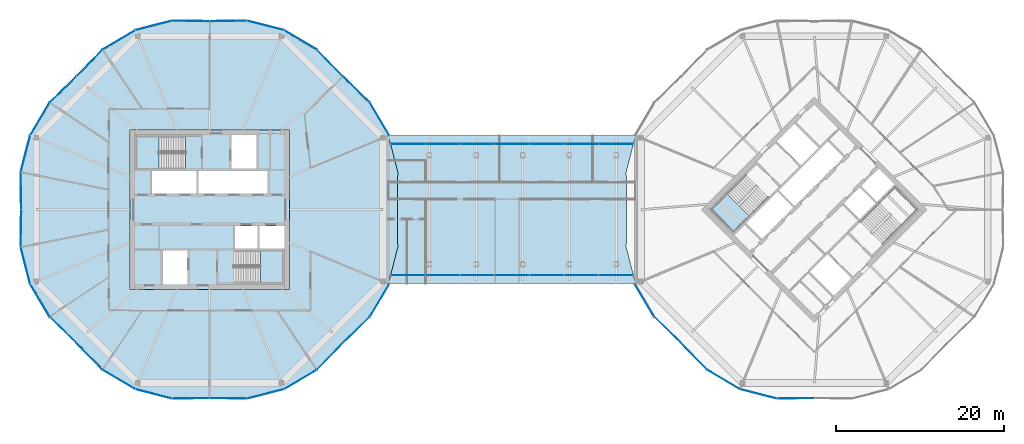
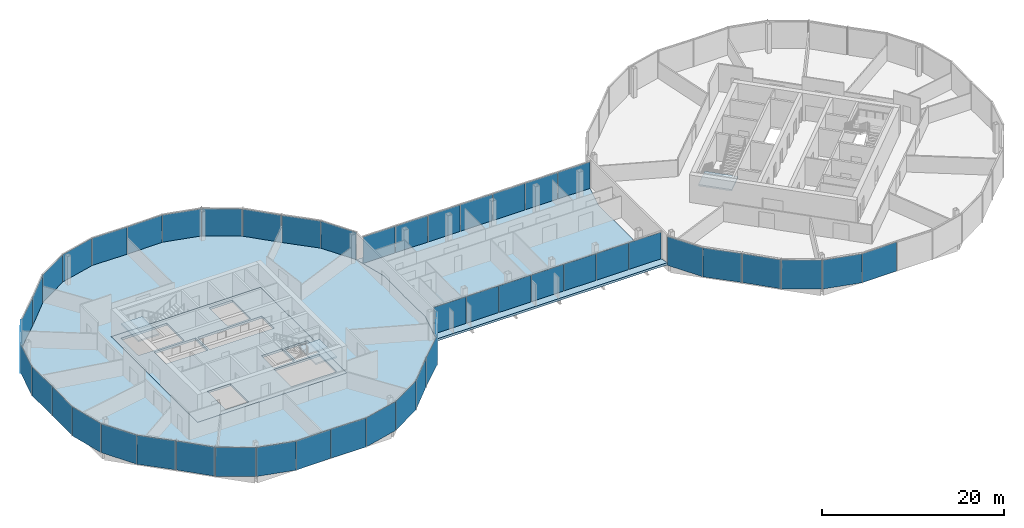
# One storey, part 17 of 26: 48 plates, 6 slabs, 15 elements without a shape of their own.
"""IFC4 building model written with IfcOpenShell, lengths in metres."""

from ifc_helpers import new_model, si_unit, direction, frame, origin, origin_2d, place, context, subcontext, project, spatial, polyline, rectangle, outline, extrude, material, layer, layer_set, type_object, element, aggregate, save


model = new_model("IFC4")

# Units and contexts
model_context = context("Model", 3, precision=1e-05, world=origin(), true_north=direction((0.0, 1.0)))
body_context = subcontext(model_context, "Body", "Model", "MODEL_VIEW")
ifc_project = project(units=[si_unit("LENGTHUNIT", "METRE"), si_unit("AREAUNIT", "SQUARE_METRE"), si_unit("VOLUMEUNIT", "CUBIC_METRE"), si_unit("PLANEANGLEUNIT", "RADIAN"), si_unit("MASSUNIT", "GRAM", prefix="KILO")], contexts=[model_context])

# Site, building, storey
site_placement = place(None, origin())
site = spatial("IfcSite", under=ifc_project, at=site_placement, CompositionType="ELEMENT")
building_placement = place(site_placement, origin())
building = spatial("IfcBuilding", under=site, at=building_placement, Name="Ogive Gate Towers", CompositionType="ELEMENT")
storey_placement = place(building_placement, frame((0.0, 0.0, 156.800048828125)))
storey = spatial("IfcBuildingStorey", under=building, at=storey_placement, Name="L37", CompositionType="ELEMENT", Elevation=156.800048828125)

# Slabs
ifc_material_1 = material(Name="Concrete C40/50", Category="concrete")
ifc_layer_1 = layer(ifc_material_1, 0.300048828125)
ifc_layer_set_1 = layer_set([ifc_layer_1], Name="Core slab C40/50 300 mm")
slab_type_1 = type_object("IfcSlabType", Name="Core slab C40/50 300 mm", PredefinedType="FLOOR", material=ifc_layer_set_1)
slab_1_placement = place(storey_placement, frame((0.0, 0.0, -0.300048828125)))
element("IfcSlab", 1, at=slab_1_placement, inside=storey, type_object=slab_type_1, Name="T1 L37 core slab", PredefinedType="FLOOR", context=body_context, shape_type="SweptSolid", body=[
    extrude(outline(polyline([(-45.5, -9.5), (-45.5, 9.5), (-26.5, 9.5), (-26.5, -9.5), (-45.5, -9.5)]), holes=[polyline([(-42.875, 1.949951171875), (-37.574951171875, 1.949951171875), (-37.574951171875, 4.625), (-42.875, 4.625), (-42.875, 1.949951171875)]), polyline([(-37.324951171875, 4.625), (-37.324951171875, 1.949951171875), (-29.125, 1.949951171875), (-29.125, 4.625), (-37.324951171875, 4.625)]), polyline([(-30.324951171875, -1.949951171875), (-32.97509765625, -1.949951171875), (-32.97509765625, -4.625), (-30.324951171875, -4.625), (-30.324951171875, -1.949951171875)]), polyline([(-27.10009765625, -4.625), (-27.10009765625, -1.949951171875), (-30.074951171875, -1.949951171875), (-30.074951171875, -4.625), (-27.10009765625, -4.625)]), polyline([(-33.375, 4.875), (-30.425048828125, 4.875), (-30.425048828125, 8.89990234375), (-33.375, 8.89990234375), (-33.375, 4.875)]), polyline([(-41.574951171875, -4.875), (-41.574951171875, -8.89990234375), (-38.625, -8.89990234375), (-38.625, -4.875), (-41.574951171875, -4.875)]), polyline([(-44.699951171875, 4.875), (-38.885009765625, 4.875), (-38.885009765625, 8.699951171875), (-44.699951171875, 8.699951171875), (-44.699951171875, 4.875)]), polyline([(-27.300048828125, -8.699951171875), (-27.300048828125, -4.875), (-33.114990234375, -4.875), (-33.114990234375, -8.699951171875), (-27.300048828125, -8.699951171875)])]), origin(), (0.0, 0.0, 1.0), 0.300048828125),
])
ifc_material_2 = material(Name="Concrete C35/45", Category="concrete")
ifc_layer_2 = layer(ifc_material_2, 0.300048828125)
ifc_layer_set_2 = layer_set([ifc_layer_2], Name="Floor slab 300")
slab_type_2 = type_object("IfcSlabType", Name="Floor slab 300", PredefinedType="FLOOR", material=ifc_layer_set_2)
slab_2_placement = place(storey_placement, frame((0.0, 0.0, -0.300048828125)))
element("IfcSlab", 2, at=slab_2_placement, inside=storey, type_object=slab_type_2, Name="T1/L37/SSL001", PredefinedType="FLOOR", context=body_context, shape_type="SweptSolid", body=[
    extrude(outline(polyline([(-13.598876953125, -4.455810546875), (-13.659912109375, 0.0), (-13.598876953125, 4.455810546875), (-14.7138671875, 8.817138671875), (-17.00927734375, 12.689208984375), (-20.203125, 15.796875), (-23.310791015625, 18.99072265625), (-27.182861328125, 21.2861328125), (-31.544189453125, 22.401123046875), (-36.0, 22.340087890625), (-40.455810546875, 22.401123046875), (-44.817138671875, 21.2861328125), (-48.689208984375, 18.99072265625), (-51.796875, 15.796875), (-54.99072265625, 12.689208984375), (-57.2861328125, 8.817138671875), (-58.401123046875, 4.455810546875), (-58.340087890625, 0.0), (-58.401123046875, -4.455810546875), (-57.2861328125, -8.817138671875), (-54.99072265625, -12.689208984375), (-51.796875, -15.796875), (-48.689208984375, -18.99072265625), (-44.817138671875, -21.2861328125), (-40.455810546875, -22.401123046875), (-36.0, -22.340087890625), (-31.544189453125, -22.401123046875), (-27.182861328125, -21.2861328125), (-23.310791015625, -18.99072265625), (-20.203125, -15.796875), (-17.00927734375, -12.689208984375), (-14.7138671875, -8.817138671875), (-13.598876953125, -4.455810546875)]), holes=[polyline([(-26.5, -9.5), (-45.5, -9.5), (-45.5, 9.5), (-26.5, 9.5), (-26.5, -9.5)])]), origin(), (0.0, 0.0, 1.0), 0.300048828125),
])
slab_3_placement = place(storey_placement, frame((0.0, 0.0, -0.300048828125)))
element("IfcSlab", 3, at=slab_3_placement, inside=storey, type_object=slab_type_2, Name="BR/L37/SSL001", PredefinedType="FLOOR", context=body_context, shape_type="SweptSolid", body=[
    extrude(outline(polyline([(-14.7138671875, -8.817138671875), (14.7138671875, -8.817138671875), (14.7138671875, -8.817138671875), (13.598876953125, -4.455810546875), (13.659912109375, 0.0), (13.598876953125, 4.455810546875), (14.7138671875, 8.817138671875), (-14.7138671875, 8.817138671875), (-13.598876953125, 4.455810546875), (-13.659912109375, 0.0), (-13.598876953125, -4.455810546875), (-14.7138671875, -8.817138671875), (-14.7138671875, -8.817138671875)])), origin(), (0.0, 0.0, 1.0), 0.300048828125),
])

# Curtain wall, plates
ifc_material_3 = material(Name="Pale metal aluminium", Category="aluminium")
curtain_wall_type_1 = type_object("IfcCurtainWallType", Name="Gate block facade", PredefinedType="NOTDEFINED", material=ifc_material_3)
curtain_wall_1_placement = place(storey_placement, origin())
curtain_wall_1 = element("IfcCurtainWall", 4, at=curtain_wall_1_placement, inside=storey, type_object=curtain_wall_type_1, Name="CW3 BR ECW01", PredefinedType="NOTDEFINED")
ifc_material_4 = material(Name="Clear glass", Category="glass")
ifc_layer_3 = layer(ifc_material_4, 0.028076171875)
ifc_layer_set_3 = layer_set([ifc_layer_3], Name="Gate block facade glass panel")
plate_type_1 = type_object("IfcPlateType", Name="Gate block facade glass panel", PredefinedType="CURTAIN_PANEL", material=ifc_layer_set_3)
plate_1_placement = place(storey_placement, frame((-12.392578125, -7.81689453125, -0.30029296875), z_axis=(0.0, 0.0, 1.0), x_axis=(1.0, 0.0, 0.0)))
plate_1 = element("IfcPlate", 5, at=plate_1_placement, type_object=plate_type_1, Name="CW3 glass panel", PredefinedType="CURTAIN_PANEL", context=body_context, shape_type="SweptSolid", body=[
    extrude(rectangle(XDim=4.076904296875, YDim=0.028076171875, at=origin_2d()), origin(), (0.0, 0.0, 1.0), 3.884033203125),
])
plate_2_placement = place(storey_placement, frame((-8.26171875, -7.81689453125, -0.30029296875), z_axis=(0.0, 0.0, 1.0), x_axis=(1.0, 0.0, 0.0)))
plate_2 = element("IfcPlate", 6, at=plate_2_placement, type_object=plate_type_1, Name="CW3 glass panel", PredefinedType="CURTAIN_PANEL", context=body_context, shape_type="SweptSolid", body=[
    extrude(rectangle(XDim=4.076904296875, YDim=0.028076171875, at=origin_2d()), origin(), (0.0, 0.0, 1.0), 3.884033203125),
])
plate_3_placement = place(storey_placement, frame((-4.131103515625, -7.81689453125, -0.30029296875), z_axis=(0.0, 0.0, 1.0), x_axis=(1.0, 0.0, 0.0)))
plate_3 = element("IfcPlate", 7, at=plate_3_placement, type_object=plate_type_1, Name="CW3 glass panel", PredefinedType="CURTAIN_PANEL", context=body_context, shape_type="SweptSolid", body=[
    extrude(rectangle(XDim=4.076904296875, YDim=0.028076171875, at=origin_2d()), origin(), (0.0, 0.0, 1.0), 3.884033203125),
])
plate_4_placement = place(storey_placement, frame((0.0, -7.81689453125, -0.30029296875), z_axis=(0.0, 0.0, 1.0), x_axis=(1.0, 0.0, 0.0)))
plate_4 = element("IfcPlate", 8, at=plate_4_placement, type_object=plate_type_1, Name="CW3 glass panel", PredefinedType="CURTAIN_PANEL", context=body_context, shape_type="SweptSolid", body=[
    extrude(rectangle(XDim=4.076904296875, YDim=0.028076171875, at=origin_2d()), origin(), (0.0, 0.0, 1.0), 3.884033203125),
])
plate_5_placement = place(storey_placement, frame((4.131103515625, -7.81689453125, -0.30029296875), z_axis=(0.0, 0.0, 1.0), x_axis=(1.0, 0.0, 0.0)))
plate_5 = element("IfcPlate", 9, at=plate_5_placement, type_object=plate_type_1, Name="CW3 glass panel", PredefinedType="CURTAIN_PANEL", context=body_context, shape_type="SweptSolid", body=[
    extrude(rectangle(XDim=4.076904296875, YDim=0.028076171875, at=origin_2d()), origin(), (0.0, 0.0, 1.0), 3.884033203125),
])
plate_6_placement = place(storey_placement, frame((8.26171875, -7.81689453125, -0.30029296875), z_axis=(0.0, 0.0, 1.0), x_axis=(1.0, 0.0, 0.0)))
plate_6 = element("IfcPlate", 10, at=plate_6_placement, type_object=plate_type_1, Name="CW3 glass panel", PredefinedType="CURTAIN_PANEL", context=body_context, shape_type="SweptSolid", body=[
    extrude(rectangle(XDim=4.076904296875, YDim=0.028076171875, at=origin_2d()), origin(), (0.0, 0.0, 1.0), 3.884033203125),
])
plate_7_placement = place(storey_placement, frame((12.392578125, -7.81689453125, -0.30029296875), z_axis=(0.0, 0.0, 1.0), x_axis=(1.0, 0.0, 0.0)))
plate_7 = element("IfcPlate", 11, at=plate_7_placement, type_object=plate_type_1, Name="CW3 glass panel", PredefinedType="CURTAIN_PANEL", context=body_context, shape_type="SweptSolid", body=[
    extrude(rectangle(XDim=4.076904296875, YDim=0.028076171875, at=origin_2d()), origin(), (0.0, 0.0, 1.0), 3.884033203125),
])
aggregate(curtain_wall_1, [plate_1, plate_2, plate_3, plate_4, plate_5, plate_6, plate_7])

curtain_wall_2_placement = place(storey_placement, origin())
curtain_wall_2 = element("IfcCurtainWall", 12, at=curtain_wall_2_placement, inside=storey, type_object=curtain_wall_type_1, Name="CW3 BR ECW02", PredefinedType="NOTDEFINED")
plate_8_placement = place(storey_placement, frame((12.392578125, 7.81689453125, -0.30029296875), z_axis=(0.0, 0.0, 1.0), x_axis=(-1.0, 0.0, 0.0)))
plate_8 = element("IfcPlate", 13, at=plate_8_placement, type_object=plate_type_1, Name="CW3 glass panel", PredefinedType="CURTAIN_PANEL", context=body_context, shape_type="SweptSolid", body=[
    extrude(rectangle(XDim=4.076904296875, YDim=0.028076171875, at=origin_2d()), origin(), (0.0, 0.0, 1.0), 3.884033203125),
])
plate_9_placement = place(storey_placement, frame((8.26171875, 7.81689453125, -0.30029296875), z_axis=(0.0, 0.0, 1.0), x_axis=(-1.0, 0.0, 0.0)))
plate_9 = element("IfcPlate", 14, at=plate_9_placement, type_object=plate_type_1, Name="CW3 glass panel", PredefinedType="CURTAIN_PANEL", context=body_context, shape_type="SweptSolid", body=[
    extrude(rectangle(XDim=4.076904296875, YDim=0.028076171875, at=origin_2d()), origin(), (0.0, 0.0, 1.0), 3.884033203125),
])
plate_10_placement = place(storey_placement, frame((4.131103515625, 7.81689453125, -0.30029296875), z_axis=(0.0, 0.0, 1.0), x_axis=(-1.0, 0.0, 0.0)))
plate_10 = element("IfcPlate", 15, at=plate_10_placement, type_object=plate_type_1, Name="CW3 glass panel", PredefinedType="CURTAIN_PANEL", context=body_context, shape_type="SweptSolid", body=[
    extrude(rectangle(XDim=4.076904296875, YDim=0.028076171875, at=origin_2d()), origin(), (0.0, 0.0, 1.0), 3.884033203125),
])
plate_11_placement = place(storey_placement, frame((0.0, 7.81689453125, -0.30029296875), z_axis=(0.0, 0.0, 1.0), x_axis=(-1.0, 0.0, 0.0)))
plate_11 = element("IfcPlate", 16, at=plate_11_placement, type_object=plate_type_1, Name="CW3 glass panel", PredefinedType="CURTAIN_PANEL", context=body_context, shape_type="SweptSolid", body=[
    extrude(rectangle(XDim=4.076904296875, YDim=0.028076171875, at=origin_2d()), origin(), (0.0, 0.0, 1.0), 3.884033203125),
])
plate_12_placement = place(storey_placement, frame((-4.131103515625, 7.81689453125, -0.30029296875), z_axis=(0.0, 0.0, 1.0), x_axis=(-1.0, 0.0, 0.0)))
plate_12 = element("IfcPlate", 17, at=plate_12_placement, type_object=plate_type_1, Name="CW3 glass panel", PredefinedType="CURTAIN_PANEL", context=body_context, shape_type="SweptSolid", body=[
    extrude(rectangle(XDim=4.076904296875, YDim=0.028076171875, at=origin_2d()), origin(), (0.0, 0.0, 1.0), 3.884033203125),
])
plate_13_placement = place(storey_placement, frame((-8.26171875, 7.81689453125, -0.30029296875), z_axis=(0.0, 0.0, 1.0), x_axis=(-1.0, 0.0, 0.0)))
plate_13 = element("IfcPlate", 18, at=plate_13_placement, type_object=plate_type_1, Name="CW3 glass panel", PredefinedType="CURTAIN_PANEL", context=body_context, shape_type="SweptSolid", body=[
    extrude(rectangle(XDim=4.076904296875, YDim=0.028076171875, at=origin_2d()), origin(), (0.0, 0.0, 1.0), 3.884033203125),
])
plate_14_placement = place(storey_placement, frame((-12.392578125, 7.81689453125, -0.30029296875), z_axis=(0.0, 0.0, 1.0), x_axis=(-1.0, 0.0, 0.0)))
plate_14 = element("IfcPlate", 19, at=plate_14_placement, type_object=plate_type_1, Name="CW3 glass panel", PredefinedType="CURTAIN_PANEL", context=body_context, shape_type="SweptSolid", body=[
    extrude(rectangle(XDim=4.076904296875, YDim=0.028076171875, at=origin_2d()), origin(), (0.0, 0.0, 1.0), 3.884033203125),
])
aggregate(curtain_wall_2, [plate_8, plate_9, plate_10, plate_11, plate_12, plate_13, plate_14])

# Stair, slab
stair_type = type_object("IfcStairType", Name="Escape stair 1840 wide", PredefinedType="HALF_TURN_STAIR", material=ifc_material_1)
stair_1_placement = place(storey_placement, origin())
stair_1 = element("IfcStair", 20, at=stair_1_placement, inside=storey, type_object=stair_type, Name="L37 Escape stair 1", PredefinedType="HALF_TURN_STAIR")
ifc_layer_4 = layer(ifc_material_1, 0.199951171875)
ifc_layer_set_4 = layer_set([ifc_layer_4], Name="Stair landing 200 mm")
slab_type_3 = type_object("IfcSlabType", Name="Stair landing 200 mm", PredefinedType="LANDING", material=ifc_layer_set_4)
slab_4_placement = place(storey_placement, frame((0.0, 0.0, 1.800048828125)))
slab_4 = element("IfcSlab", 21, at=slab_4_placement, type_object=slab_type_3, Name="ST1 landing 1", PredefinedType="LANDING", context=body_context, shape_type="SweptSolid", body=[
    extrude(outline(polyline([(-42.027587890625, 8.699951171875), (-44.699951171875, 8.699951171875), (-44.699951171875, 4.875), (-42.027587890625, 4.875), (-42.027587890625, 8.699951171875)])), origin(), (0.0, 0.0, 1.0), 0.199951171875),
])
aggregate(stair_1, [slab_4])

stair_2_placement = place(storey_placement, origin())
stair_2 = element("IfcStair", 22, at=stair_2_placement, inside=storey, type_object=stair_type, Name="L37 Escape stair 2", PredefinedType="HALF_TURN_STAIR")
slab_5_placement = place(storey_placement, frame((0.0, 0.0, 1.800048828125)))
slab_5 = element("IfcSlab", 23, at=slab_5_placement, type_object=slab_type_3, Name="ST2 landing 1", PredefinedType="LANDING", context=body_context, shape_type="SweptSolid", body=[
    extrude(outline(polyline([(-29.972412109375, -8.699951171875), (-27.300048828125, -8.699951171875), (-27.300048828125, -4.875), (-29.972412109375, -4.875), (-29.972412109375, -8.699951171875)])), origin(), (0.0, 0.0, 1.0), 0.199951171875),
])
aggregate(stair_2, [slab_5])

stair_3_placement = place(storey_placement, origin())
stair_3 = element("IfcStair", 24, at=stair_3_placement, inside=storey, type_object=stair_type, Name="L37 Escape stair 1", PredefinedType="HALF_TURN_STAIR")
slab_6_placement = place(storey_placement, frame((0.0, 0.0, 1.800048828125)))
slab_6 = element("IfcSlab", 25, at=slab_6_placement, type_object=slab_type_3, Name="ST1 landing 1", PredefinedType="LANDING", context=body_context, shape_type="SweptSolid", body=[
    extrude(outline(polyline([(25.586181640625, 1.8896484375), (23.6962890625, 0.0), (26.401123046875, -2.70458984375), (28.290771484375, -0.81494140625), (25.586181640625, 1.8896484375)])), origin(), (0.0, 0.0, 1.0), 0.199951171875),
])
aggregate(stair_3, [slab_6])

# Curtain wall, plates
curtain_wall_type_2 = type_object("IfcCurtainWallType", Name="Tower unitised wall, high zone", PredefinedType="NOTDEFINED", material=ifc_material_3)
curtain_wall_3_placement = place(storey_placement, origin())
curtain_wall_3 = element("IfcCurtainWall", 26, at=curtain_wall_3_placement, inside=storey, type_object=curtain_wall_type_2, Name="CW2 T1 ECW01", PredefinedType="NOTDEFINED")
ifc_layer_5 = layer(ifc_material_4, 0.028076171875)
ifc_layer_set_5 = layer_set([ifc_layer_5], Name="Tower unitised wall, high zone glass panel")
plate_type_2 = type_object("IfcPlateType", Name="Tower unitised wall, high zone glass panel", PredefinedType="CURTAIN_PANEL", material=ifc_layer_set_5)
plate_15_placement = place(storey_placement, frame((-15.7744140625, 10.802001953125, -0.30029296875), z_axis=(0.0, 0.0, 1.0), x_axis=(-0.509942503415, 0.860208488223, 0.0)))
plate_15 = element("IfcPlate", 27, at=plate_15_placement, type_object=plate_type_2, Name="CW2 glass panel", PredefinedType="CURTAIN_PANEL", context=body_context, shape_type="SweptSolid", body=[
    extrude(rectangle(XDim=4.47119140625, YDim=0.028076171875, at=origin_2d()), origin(), (0.0, 0.0, 1.0), 3.904052734375),
])
plate_16_placement = place(storey_placement, frame((-18.53271484375, 14.310791015625, -0.30029296875), z_axis=(0.0, 0.0, 1.0), x_axis=(-0.716728065687, 0.697352765719, 0.0)))
plate_16 = element("IfcPlate", 28, at=plate_16_placement, type_object=plate_type_2, Name="CW2 glass panel", PredefinedType="CURTAIN_PANEL", context=body_context, shape_type="SweptSolid", body=[
    extrude(rectangle(XDim=4.410400390625, YDim=0.028076171875, at=origin_2d()), origin(), (0.0, 0.0, 1.0), 3.904052734375),
])
aggregate(curtain_wall_3, [plate_15, plate_16])

curtain_wall_4_placement = place(storey_placement, origin())
curtain_wall_4 = element("IfcCurtainWall", 29, at=curtain_wall_4_placement, inside=storey, type_object=curtain_wall_type_2, Name="CW2 T1 ECW02", PredefinedType="NOTDEFINED")
plate_17_placement = place(storey_placement, frame((-21.689208984375, 17.46728515625, -0.30029296875), z_axis=(0.0, 0.0, 1.0), x_axis=(-0.697352765719, 0.716728065687, 0.0)))
plate_17 = element("IfcPlate", 30, at=plate_17_placement, type_object=plate_type_2, Name="CW2 glass panel", PredefinedType="CURTAIN_PANEL", context=body_context, shape_type="SweptSolid", body=[
    extrude(rectangle(XDim=4.410400390625, YDim=0.028076171875, at=origin_2d()), origin(), (0.0, 0.0, 1.0), 3.904052734375),
])
plate_18_placement = place(storey_placement, frame((-25.1962890625, 20.224609375, -0.30029296875), z_axis=(0.0, 0.0, 1.0), x_axis=(-0.860208488223, 0.509942503415, 0.0)))
plate_18 = element("IfcPlate", 31, at=plate_18_placement, type_object=plate_type_2, Name="CW2 glass panel", PredefinedType="CURTAIN_PANEL", context=body_context, shape_type="SweptSolid", body=[
    extrude(rectangle(XDim=4.467041015625, YDim=0.028076171875, at=origin_2d()), origin(), (0.0, 0.0, 1.0), 3.904052734375),
])
plate_19_placement = place(storey_placement, frame((-29.33837890625, 21.9404296875, -0.30029296875), z_axis=(0.0, 0.0, 1.0), x_axis=(-0.968838734537, 0.24769236254, 0.0)))
plate_19 = element("IfcPlate", 32, at=plate_19_placement, type_object=plate_type_2, Name="CW2 glass panel", PredefinedType="CURTAIN_PANEL", context=body_context, shape_type="SweptSolid", body=[
    extrude(rectangle(XDim=4.46728515625, YDim=0.028076171875, at=origin_2d()), origin(), (0.0, 0.0, 1.0), 3.904052734375),
])
plate_20_placement = place(storey_placement, frame((-33.76806640625, 22.470703125, -0.30029296875), z_axis=(0.0, 0.0, 1.0), x_axis=(-0.999905905764, -0.013717857647, 0.0)))
plate_20 = element("IfcPlate", 33, at=plate_20_placement, type_object=plate_type_2, Name="CW2 glass panel", PredefinedType="CURTAIN_PANEL", context=body_context, shape_type="SweptSolid", body=[
    extrude(rectangle(XDim=4.410400390625, YDim=0.028076171875, at=origin_2d()), origin(), (0.0, 0.0, 1.0), 3.904052734375),
])
aggregate(curtain_wall_4, [plate_17, plate_18, plate_19, plate_20])

curtain_wall_5_placement = place(storey_placement, origin())
curtain_wall_5 = element("IfcCurtainWall", 34, at=curtain_wall_5_placement, inside=storey, type_object=curtain_wall_type_2, Name="CW2 T1 ECW03", PredefinedType="NOTDEFINED")
plate_21_placement = place(storey_placement, frame((-38.23193359375, 22.470703125, -0.30029296875), z_axis=(0.0, 0.0, 1.0), x_axis=(-0.999905905764, 0.013717857647, 0.0)))
plate_21 = element("IfcPlate", 35, at=plate_21_placement, type_object=plate_type_2, Name="CW2 glass panel", PredefinedType="CURTAIN_PANEL", context=body_context, shape_type="SweptSolid", body=[
    extrude(rectangle(XDim=4.410400390625, YDim=0.028076171875, at=origin_2d()), origin(), (0.0, 0.0, 1.0), 3.904052734375),
])
plate_22_placement = place(storey_placement, frame((-42.66162109375, 21.9404296875, -0.30029296875), z_axis=(0.0, 0.0, 1.0), x_axis=(-0.968838734537, -0.24769236254, 0.0)))
plate_22 = element("IfcPlate", 36, at=plate_22_placement, type_object=plate_type_2, Name="CW2 glass panel", PredefinedType="CURTAIN_PANEL", context=body_context, shape_type="SweptSolid", body=[
    extrude(rectangle(XDim=4.46728515625, YDim=0.028076171875, at=origin_2d()), origin(), (0.0, 0.0, 1.0), 3.904052734375),
])
plate_23_placement = place(storey_placement, frame((-46.8037109375, 20.224609375, -0.30029296875), z_axis=(0.0, 0.0, 1.0), x_axis=(-0.860208488223, -0.509942503415, 0.0)))
plate_23 = element("IfcPlate", 37, at=plate_23_placement, type_object=plate_type_2, Name="CW2 glass panel", PredefinedType="CURTAIN_PANEL", context=body_context, shape_type="SweptSolid", body=[
    extrude(rectangle(XDim=4.467041015625, YDim=0.028076171875, at=origin_2d()), origin(), (0.0, 0.0, 1.0), 3.904052734375),
])
plate_24_placement = place(storey_placement, frame((-50.310791015625, 17.46728515625, -0.30029296875), z_axis=(0.0, 0.0, 1.0), x_axis=(-0.697352765719, -0.716728065687, 0.0)))
plate_24 = element("IfcPlate", 38, at=plate_24_placement, type_object=plate_type_2, Name="CW2 glass panel", PredefinedType="CURTAIN_PANEL", context=body_context, shape_type="SweptSolid", body=[
    extrude(rectangle(XDim=4.410400390625, YDim=0.028076171875, at=origin_2d()), origin(), (0.0, 0.0, 1.0), 3.904052734375),
])
aggregate(curtain_wall_5, [plate_21, plate_22, plate_23, plate_24])

curtain_wall_6_placement = place(storey_placement, origin())
curtain_wall_6 = element("IfcCurtainWall", 39, at=curtain_wall_6_placement, inside=storey, type_object=curtain_wall_type_2, Name="CW2 T1 ECW04", PredefinedType="NOTDEFINED")
plate_25_placement = place(storey_placement, frame((-53.46728515625, 14.310791015625, -0.30029296875), z_axis=(0.0, 0.0, 1.0), x_axis=(-0.716728065687, -0.697352765719, 0.0)))
plate_25 = element("IfcPlate", 40, at=plate_25_placement, type_object=plate_type_2, Name="CW2 glass panel", PredefinedType="CURTAIN_PANEL", context=body_context, shape_type="SweptSolid", body=[
    extrude(rectangle(XDim=4.410400390625, YDim=0.028076171875, at=origin_2d()), origin(), (0.0, 0.0, 1.0), 3.904052734375),
])
plate_26_placement = place(storey_placement, frame((-56.224609375, 10.8037109375, -0.30029296875), z_axis=(0.0, 0.0, 1.0), x_axis=(-0.509942503415, -0.860208488223, 0.0)))
plate_26 = element("IfcPlate", 41, at=plate_26_placement, type_object=plate_type_2, Name="CW2 glass panel", PredefinedType="CURTAIN_PANEL", context=body_context, shape_type="SweptSolid", body=[
    extrude(rectangle(XDim=4.467041015625, YDim=0.028076171875, at=origin_2d()), origin(), (0.0, 0.0, 1.0), 3.904052734375),
])
plate_27_placement = place(storey_placement, frame((-57.9404296875, 6.66162109375, -0.30029296875), z_axis=(0.0, 0.0, 1.0), x_axis=(-0.24769236254, -0.968838734537, 0.0)))
plate_27 = element("IfcPlate", 42, at=plate_27_placement, type_object=plate_type_2, Name="CW2 glass panel", PredefinedType="CURTAIN_PANEL", context=body_context, shape_type="SweptSolid", body=[
    extrude(rectangle(XDim=4.46728515625, YDim=0.028076171875, at=origin_2d()), origin(), (0.0, 0.0, 1.0), 3.904052734375),
])
plate_28_placement = place(storey_placement, frame((-58.470703125, 2.23193359375, -0.30029296875), z_axis=(0.0, 0.0, 1.0), x_axis=(0.013717857647, -0.999905905764, 0.0)))
plate_28 = element("IfcPlate", 43, at=plate_28_placement, type_object=plate_type_2, Name="CW2 glass panel", PredefinedType="CURTAIN_PANEL", context=body_context, shape_type="SweptSolid", body=[
    extrude(rectangle(XDim=4.410400390625, YDim=0.028076171875, at=origin_2d()), origin(), (0.0, 0.0, 1.0), 3.904052734375),
])
aggregate(curtain_wall_6, [plate_25, plate_26, plate_27, plate_28])

curtain_wall_7_placement = place(storey_placement, origin())
curtain_wall_7 = element("IfcCurtainWall", 44, at=curtain_wall_7_placement, inside=storey, type_object=curtain_wall_type_2, Name="CW2 T1 ECW05", PredefinedType="NOTDEFINED")
plate_29_placement = place(storey_placement, frame((-58.470703125, -2.23193359375, -0.30029296875), z_axis=(0.0, 0.0, 1.0), x_axis=(-0.013717857647, -0.999905905764, 0.0)))
plate_29 = element("IfcPlate", 45, at=plate_29_placement, type_object=plate_type_2, Name="CW2 glass panel", PredefinedType="CURTAIN_PANEL", context=body_context, shape_type="SweptSolid", body=[
    extrude(rectangle(XDim=4.410400390625, YDim=0.028076171875, at=origin_2d()), origin(), (0.0, 0.0, 1.0), 3.904052734375),
])
plate_30_placement = place(storey_placement, frame((-57.9404296875, -6.66162109375, -0.30029296875), z_axis=(0.0, 0.0, 1.0), x_axis=(0.24769236254, -0.968838734537, 0.0)))
plate_30 = element("IfcPlate", 46, at=plate_30_placement, type_object=plate_type_2, Name="CW2 glass panel", PredefinedType="CURTAIN_PANEL", context=body_context, shape_type="SweptSolid", body=[
    extrude(rectangle(XDim=4.46728515625, YDim=0.028076171875, at=origin_2d()), origin(), (0.0, 0.0, 1.0), 3.904052734375),
])
plate_31_placement = place(storey_placement, frame((-56.224609375, -10.8037109375, -0.30029296875), z_axis=(0.0, 0.0, 1.0), x_axis=(0.509942503415, -0.860208488223, 0.0)))
plate_31 = element("IfcPlate", 47, at=plate_31_placement, type_object=plate_type_2, Name="CW2 glass panel", PredefinedType="CURTAIN_PANEL", context=body_context, shape_type="SweptSolid", body=[
    extrude(rectangle(XDim=4.467041015625, YDim=0.028076171875, at=origin_2d()), origin(), (0.0, 0.0, 1.0), 3.904052734375),
])
plate_32_placement = place(storey_placement, frame((-53.46728515625, -14.310791015625, -0.30029296875), z_axis=(0.0, 0.0, 1.0), x_axis=(0.716728065687, -0.697352765719, 0.0)))
plate_32 = element("IfcPlate", 48, at=plate_32_placement, type_object=plate_type_2, Name="CW2 glass panel", PredefinedType="CURTAIN_PANEL", context=body_context, shape_type="SweptSolid", body=[
    extrude(rectangle(XDim=4.410400390625, YDim=0.028076171875, at=origin_2d()), origin(), (0.0, 0.0, 1.0), 3.904052734375),
])
aggregate(curtain_wall_7, [plate_29, plate_30, plate_31, plate_32])

curtain_wall_8_placement = place(storey_placement, origin())
curtain_wall_8 = element("IfcCurtainWall", 49, at=curtain_wall_8_placement, inside=storey, type_object=curtain_wall_type_2, Name="CW2 T1 ECW06", PredefinedType="NOTDEFINED")
plate_33_placement = place(storey_placement, frame((-50.310791015625, -17.46728515625, -0.30029296875), z_axis=(0.0, 0.0, 1.0), x_axis=(0.697352765719, -0.716728065687, 0.0)))
plate_33 = element("IfcPlate", 50, at=plate_33_placement, type_object=plate_type_2, Name="CW2 glass panel", PredefinedType="CURTAIN_PANEL", context=body_context, shape_type="SweptSolid", body=[
    extrude(rectangle(XDim=4.410400390625, YDim=0.028076171875, at=origin_2d()), origin(), (0.0, 0.0, 1.0), 3.904052734375),
])
plate_34_placement = place(storey_placement, frame((-46.8037109375, -20.224609375, -0.30029296875), z_axis=(0.0, 0.0, 1.0), x_axis=(0.860208488223, -0.509942503415, 0.0)))
plate_34 = element("IfcPlate", 51, at=plate_34_placement, type_object=plate_type_2, Name="CW2 glass panel", PredefinedType="CURTAIN_PANEL", context=body_context, shape_type="SweptSolid", body=[
    extrude(rectangle(XDim=4.467041015625, YDim=0.028076171875, at=origin_2d()), origin(), (0.0, 0.0, 1.0), 3.904052734375),
])
plate_35_placement = place(storey_placement, frame((-42.66162109375, -21.9404296875, -0.30029296875), z_axis=(0.0, 0.0, 1.0), x_axis=(0.968838734537, -0.24769236254, 0.0)))
plate_35 = element("IfcPlate", 52, at=plate_35_placement, type_object=plate_type_2, Name="CW2 glass panel", PredefinedType="CURTAIN_PANEL", context=body_context, shape_type="SweptSolid", body=[
    extrude(rectangle(XDim=4.46728515625, YDim=0.028076171875, at=origin_2d()), origin(), (0.0, 0.0, 1.0), 3.904052734375),
])
plate_36_placement = place(storey_placement, frame((-38.23193359375, -22.470703125, -0.30029296875), z_axis=(0.0, 0.0, 1.0), x_axis=(0.999905905764, 0.013717857647, 0.0)))
plate_36 = element("IfcPlate", 53, at=plate_36_placement, type_object=plate_type_2, Name="CW2 glass panel", PredefinedType="CURTAIN_PANEL", context=body_context, shape_type="SweptSolid", body=[
    extrude(rectangle(XDim=4.410400390625, YDim=0.028076171875, at=origin_2d()), origin(), (0.0, 0.0, 1.0), 3.904052734375),
])
aggregate(curtain_wall_8, [plate_33, plate_34, plate_35, plate_36])

curtain_wall_9_placement = place(storey_placement, origin())
curtain_wall_9 = element("IfcCurtainWall", 54, at=curtain_wall_9_placement, inside=storey, type_object=curtain_wall_type_2, Name="CW2 T1 ECW07", PredefinedType="NOTDEFINED")
plate_37_placement = place(storey_placement, frame((-33.76806640625, -22.470703125, -0.30029296875), z_axis=(0.0, 0.0, 1.0), x_axis=(0.999905905764, -0.013717857647, 0.0)))
plate_37 = element("IfcPlate", 55, at=plate_37_placement, type_object=plate_type_2, Name="CW2 glass panel", PredefinedType="CURTAIN_PANEL", context=body_context, shape_type="SweptSolid", body=[
    extrude(rectangle(XDim=4.410400390625, YDim=0.028076171875, at=origin_2d()), origin(), (0.0, 0.0, 1.0), 3.904052734375),
])
plate_38_placement = place(storey_placement, frame((-29.33837890625, -21.9404296875, -0.30029296875), z_axis=(0.0, 0.0, 1.0), x_axis=(0.968838734537, 0.24769236254, 0.0)))
plate_38 = element("IfcPlate", 56, at=plate_38_placement, type_object=plate_type_2, Name="CW2 glass panel", PredefinedType="CURTAIN_PANEL", context=body_context, shape_type="SweptSolid", body=[
    extrude(rectangle(XDim=4.46728515625, YDim=0.028076171875, at=origin_2d()), origin(), (0.0, 0.0, 1.0), 3.904052734375),
])
plate_39_placement = place(storey_placement, frame((-25.1962890625, -20.224609375, -0.30029296875), z_axis=(0.0, 0.0, 1.0), x_axis=(0.860208488223, 0.509942503415, 0.0)))
plate_39 = element("IfcPlate", 57, at=plate_39_placement, type_object=plate_type_2, Name="CW2 glass panel", PredefinedType="CURTAIN_PANEL", context=body_context, shape_type="SweptSolid", body=[
    extrude(rectangle(XDim=4.467041015625, YDim=0.028076171875, at=origin_2d()), origin(), (0.0, 0.0, 1.0), 3.904052734375),
])
plate_40_placement = place(storey_placement, frame((-21.689208984375, -17.46728515625, -0.30029296875), z_axis=(0.0, 0.0, 1.0), x_axis=(0.697352765719, 0.716728065687, 0.0)))
plate_40 = element("IfcPlate", 58, at=plate_40_placement, type_object=plate_type_2, Name="CW2 glass panel", PredefinedType="CURTAIN_PANEL", context=body_context, shape_type="SweptSolid", body=[
    extrude(rectangle(XDim=4.410400390625, YDim=0.028076171875, at=origin_2d()), origin(), (0.0, 0.0, 1.0), 3.904052734375),
])
aggregate(curtain_wall_9, [plate_37, plate_38, plate_39, plate_40])

curtain_wall_10_placement = place(storey_placement, origin())
curtain_wall_10 = element("IfcCurtainWall", 59, at=curtain_wall_10_placement, inside=storey, type_object=curtain_wall_type_2, Name="CW2 T1 ECW08", PredefinedType="NOTDEFINED")
plate_41_placement = place(storey_placement, frame((-18.53271484375, -14.310791015625, -0.30029296875), z_axis=(0.0, 0.0, 1.0), x_axis=(0.716728065687, 0.697352765719, 0.0)))
plate_41 = element("IfcPlate", 60, at=plate_41_placement, type_object=plate_type_2, Name="CW2 glass panel", PredefinedType="CURTAIN_PANEL", context=body_context, shape_type="SweptSolid", body=[
    extrude(rectangle(XDim=4.410400390625, YDim=0.028076171875, at=origin_2d()), origin(), (0.0, 0.0, 1.0), 3.904052734375),
])
plate_42_placement = place(storey_placement, frame((-15.7744140625, -10.802001953125, -0.30029296875), z_axis=(0.0, 0.0, 1.0), x_axis=(0.509942503415, 0.860208488223, 0.0)))
plate_42 = element("IfcPlate", 61, at=plate_42_placement, type_object=plate_type_2, Name="CW2 glass panel", PredefinedType="CURTAIN_PANEL", context=body_context, shape_type="SweptSolid", body=[
    extrude(rectangle(XDim=4.47119140625, YDim=0.028076171875, at=origin_2d()), origin(), (0.0, 0.0, 1.0), 3.904052734375),
])
aggregate(curtain_wall_10, [plate_41, plate_42])

curtain_wall_11_placement = place(storey_placement, origin())
curtain_wall_11 = element("IfcCurtainWall", 62, at=curtain_wall_11_placement, inside=storey, type_object=curtain_wall_type_2, Name="CW2 T2 ECW05", PredefinedType="NOTDEFINED")
plate_43_placement = place(storey_placement, frame((15.7744140625, -10.802001953125, -0.30029296875), z_axis=(0.0, 0.0, 1.0), x_axis=(0.509942503415, -0.860208488223, 0.0)))
plate_43 = element("IfcPlate", 63, at=plate_43_placement, type_object=plate_type_2, Name="CW2 glass panel", PredefinedType="CURTAIN_PANEL", context=body_context, shape_type="SweptSolid", body=[
    extrude(rectangle(XDim=4.47119140625, YDim=0.028076171875, at=origin_2d()), origin(), (0.0, 0.0, 1.0), 3.904052734375),
])
plate_44_placement = place(storey_placement, frame((18.53271484375, -14.310791015625, -0.30029296875), z_axis=(0.0, 0.0, 1.0), x_axis=(0.716728065687, -0.697352765719, 0.0)))
plate_44 = element("IfcPlate", 64, at=plate_44_placement, type_object=plate_type_2, Name="CW2 glass panel", PredefinedType="CURTAIN_PANEL", context=body_context, shape_type="SweptSolid", body=[
    extrude(rectangle(XDim=4.410400390625, YDim=0.028076171875, at=origin_2d()), origin(), (0.0, 0.0, 1.0), 3.904052734375),
])
aggregate(curtain_wall_11, [plate_43, plate_44])

curtain_wall_12_placement = place(storey_placement, origin())
curtain_wall_12 = element("IfcCurtainWall", 65, at=curtain_wall_12_placement, inside=storey, type_object=curtain_wall_type_2, Name="CW2 T2 ECW06", PredefinedType="NOTDEFINED")
plate_45_placement = place(storey_placement, frame((21.689208984375, -17.46728515625, -0.30029296875), z_axis=(0.0, 0.0, 1.0), x_axis=(0.697352765719, -0.716728065687, 0.0)))
plate_45 = element("IfcPlate", 66, at=plate_45_placement, type_object=plate_type_2, Name="CW2 glass panel", PredefinedType="CURTAIN_PANEL", context=body_context, shape_type="SweptSolid", body=[
    extrude(rectangle(XDim=4.410400390625, YDim=0.028076171875, at=origin_2d()), origin(), (0.0, 0.0, 1.0), 3.904052734375),
])
plate_46_placement = place(storey_placement, frame((25.1962890625, -20.224609375, -0.30029296875), z_axis=(0.0, 0.0, 1.0), x_axis=(0.860208488223, -0.509942503415, 0.0)))
plate_46 = element("IfcPlate", 67, at=plate_46_placement, type_object=plate_type_2, Name="CW2 glass panel", PredefinedType="CURTAIN_PANEL", context=body_context, shape_type="SweptSolid", body=[
    extrude(rectangle(XDim=4.467041015625, YDim=0.028076171875, at=origin_2d()), origin(), (0.0, 0.0, 1.0), 3.904052734375),
])
plate_47_placement = place(storey_placement, frame((29.33837890625, -21.9404296875, -0.30029296875), z_axis=(0.0, 0.0, 1.0), x_axis=(0.968838734537, -0.24769236254, 0.0)))
plate_47 = element("IfcPlate", 68, at=plate_47_placement, type_object=plate_type_2, Name="CW2 glass panel", PredefinedType="CURTAIN_PANEL", context=body_context, shape_type="SweptSolid", body=[
    extrude(rectangle(XDim=4.46728515625, YDim=0.028076171875, at=origin_2d()), origin(), (0.0, 0.0, 1.0), 3.904052734375),
])
plate_48_placement = place(storey_placement, frame((33.76806640625, -22.470703125, -0.30029296875), z_axis=(0.0, 0.0, 1.0), x_axis=(0.999905905764, 0.013717857647, 0.0)))
plate_48 = element("IfcPlate", 69, at=plate_48_placement, type_object=plate_type_2, Name="CW2 glass panel", PredefinedType="CURTAIN_PANEL", context=body_context, shape_type="SweptSolid", body=[
    extrude(rectangle(XDim=4.410400390625, YDim=0.028076171875, at=origin_2d()), origin(), (0.0, 0.0, 1.0), 3.904052734375),
])
aggregate(curtain_wall_12, [plate_45, plate_46, plate_47, plate_48])

save(model, "model.ifc")
